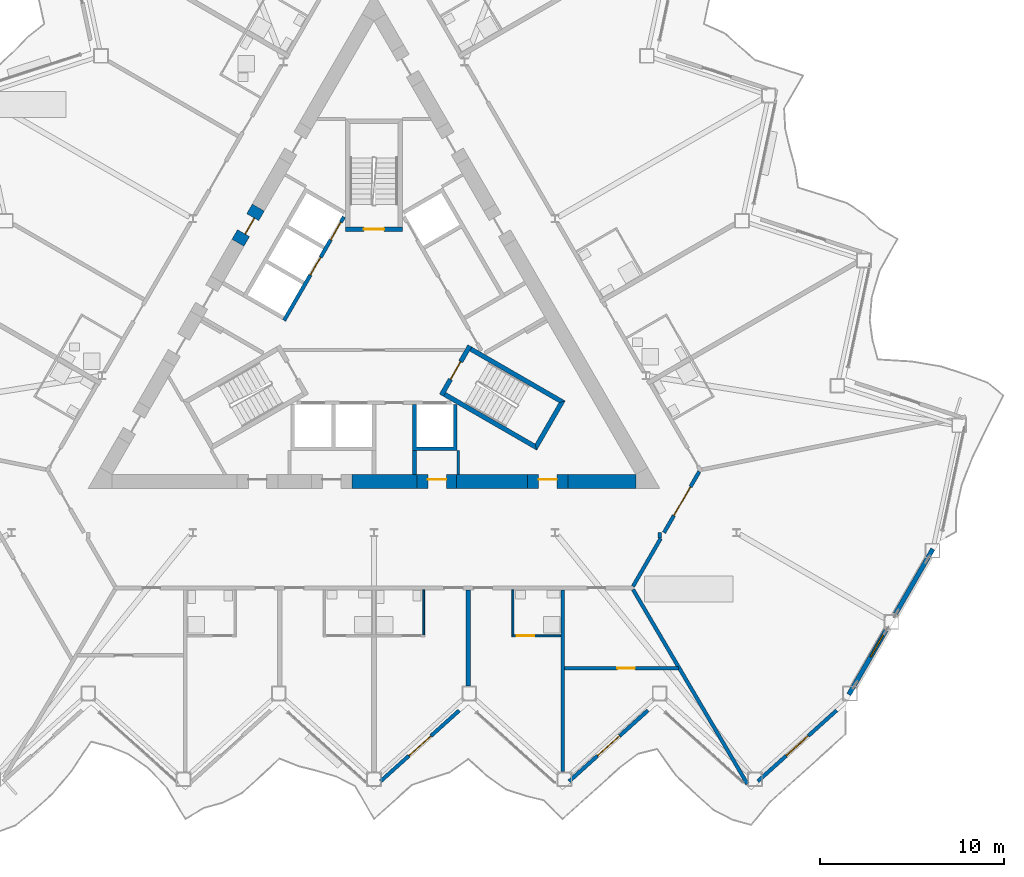
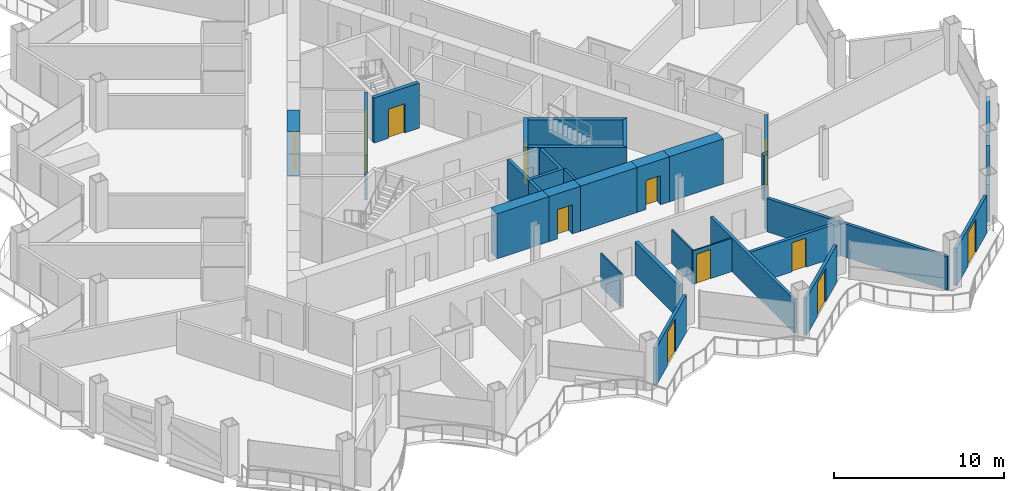
# One storey, part 12 of 23: 30 walls, 13 doors, 1 window, 14 openings.
"""IFC4 building model written with IfcOpenShell, lengths in metres."""

from ifc_helpers import new_model, si_unit, direction, frame, frame_2d, origin, place, context, subcontext, project, spatial, polyline, rectangle, outline, extrude, material, layer, layer_set, type_object, element, fill, save


model = new_model("IFC4")

# Units and contexts
model_context = context("Model", 3, precision=1e-05, world=origin(), true_north=direction((0.0, 1.0)))
body_context = subcontext(model_context, "Body", "Model", "MODEL_VIEW")
ifc_project = project(units=[si_unit("LENGTHUNIT", "METRE"), si_unit("AREAUNIT", "SQUARE_METRE"), si_unit("VOLUMEUNIT", "CUBIC_METRE"), si_unit("PLANEANGLEUNIT", "RADIAN"), si_unit("MASSUNIT", "GRAM", prefix="KILO")], contexts=[model_context])

# Site, building, storey
site_placement = place(None, origin())
site = spatial("IfcSite", under=ifc_project, at=site_placement, CompositionType="ELEMENT")
building_placement = place(site_placement, origin())
building = spatial("IfcBuilding", under=site, at=building_placement, Name="Cormorant Prow Tower", CompositionType="ELEMENT")
storey_placement = place(building_placement, frame((0.0, 0.0, 172.800048828125)))
storey = spatial("IfcBuildingStorey", under=building, at=storey_placement, Name="L36", CompositionType="ELEMENT", Elevation=172.800048828125)

# Walls
ifc_material_1 = material(Name="Gypsum board partition")
ifc_layer_1 = layer(ifc_material_1, 0.14990234375)
ifc_layer_set_1 = layer_set([ifc_layer_1], Name="Gypsum board partition")
wall_type_1 = type_object("IfcWallType", Name="Core partition 150", PredefinedType="PARTITIONING", material=ifc_layer_set_1)
wall_1_placement = place(storey_placement, frame((4.574951171875, -6.906005859375, 0.0), z_axis=(0.0, 0.0, 1.0), x_axis=(0.0, -1.0, 0.0)))
element("IfcWall", 1, at=wall_1_placement, inside=storey, type_object=wall_type_1, Name="Service room partition", PredefinedType="PARTITIONING", context=body_context, shape_type="SweptSolid", body=[
    extrude(rectangle(XDim=1.29296875, YDim=0.14990234375, at=frame_2d((0.646484375, 0.0))), origin(), (0.0, 0.0, 1.0), 3.25),
])
ifc_material_2 = material(Name="Concrete 8000 psi", Category="concrete")
ifc_layer_2 = layer(ifc_material_2, 0.75)
ifc_layer_set_2 = layer_set([ifc_layer_2], Name="Concrete 8000 psi")
wall_type_2 = type_object("IfcWallType", Name="Core shear wall 750", PredefinedType="SHEAR", material=ifc_layer_set_2)
wall_2_placement = place(storey_placement, frame((4.47998046875, -8.573974609375, 0.0), z_axis=(0.0, 0.0, 1.0), x_axis=(1.0, 0.0, 0.0)))
element("IfcWall", 2, at=wall_2_placement, inside=storey, type_object=wall_type_2, Name="Core wall", PredefinedType="SHEAR", context=body_context, shape_type="SweptSolid", body=[
    extrude(rectangle(XDim=3.845458984375, YDim=0.75, at=frame_2d((1.9228515625, 0.0))), origin(), (0.0, 0.0, 1.0), 3.25),
])
wall_3_placement = place(storey_placement, frame((10.525390625, -8.573974609375, 0.0), z_axis=(0.0, 0.0, 1.0), x_axis=(1.0, 0.0, 0.0)))
element("IfcWall", 3, at=wall_3_placement, inside=storey, type_object=wall_type_2, Name="Core wall", PredefinedType="SHEAR", context=body_context, shape_type="SweptSolid", body=[
    extrude(rectangle(XDim=3.675537109375, YDim=0.75, at=frame_2d((1.837890625, 0.0))), origin(), (0.0, 0.0, 1.0), 3.25),
])
wall_4_placement = place(storey_placement, frame((-1.199951171875, -8.573974609375, 0.0), z_axis=(0.0, 0.0, 1.0), x_axis=(1.0, 0.0, 0.0)))
element("IfcWall", 4, at=wall_4_placement, inside=storey, type_object=wall_type_2, Name="Core wall", PredefinedType="SHEAR", context=body_context, shape_type="SweptSolid", body=[
    extrude(rectangle(XDim=3.52001953125, YDim=0.75, at=frame_2d((1.760009765625, 0.0))), origin(), (0.0, 0.0, 1.0), 3.25),
])

# Wall, opening, door
wall_5_placement = place(storey_placement, frame((2.320068359375, -8.573974609375, 0.0), z_axis=(0.0, 0.0, 1.0), x_axis=(1.0, 0.0, 0.0)))
wall_5 = element("IfcWall", 5, at=wall_5_placement, inside=storey, type_object=wall_type_2, Name="Core wall door panel", PredefinedType="SHEAR", context=body_context, shape_type="SweptSolid", body=[
    extrude(rectangle(XDim=2.159912109375, YDim=0.75, at=frame_2d((1.080078125, 0.0))), origin(), (0.0, 0.0, 1.0), 3.25),
])
opening_1_placement = place(wall_5_placement, frame((0.60009765625, 0.0, 0.0)))
opening_1 = element("IfcOpeningElement", 6, at=opening_1_placement, cuts=wall_5, Name="Opening L36-C15", PredefinedType="OPENING", context=body_context, shape_type="SweptSolid", body=[
    extrude(rectangle(XDim=1.0, YDim=2.10009765625, at=frame_2d((0.5, 1.050048828125))), frame((0.0, 0.385009765625, 0.0), z_axis=(0.0, -1.0, 0.0), x_axis=(1.0, 0.0, 0.0)), (0.0, 0.0, 1.0), 0.77001953125),
])
ifc_material_3 = material(Name="Painted steel", Category="steel")
door_type_1 = type_object("IfcDoorType", Name="Service door 1000x2100", OperationType="NOTDEFINED", PredefinedType="DOOR", material=ifc_material_3)
door_1_placement = place(opening_1_placement, origin())
door_1 = element("IfcDoor", 7, at=door_1_placement, inside=storey, type_object=door_type_1, Name="Core door, Telecom room", OperationType="SINGLE_SWING_RIGHT", OverallHeight=2.10009765625, OverallWidth=1.0, PredefinedType="DOOR", context=body_context, shape_type="SweptSolid", body=[
    extrude(rectangle(XDim=1.0, YDim=2.10009765625, at=frame_2d((0.5, 1.050048828125))), frame((0.0, 0.1298828125, 0.0), z_axis=(0.0, -1.0, 0.0), x_axis=(1.0, 0.0, 0.0)), (0.0, 0.0, 1.0), 0.050048828125),
])
fill(opening_1, door_1)

wall_6_placement = place(storey_placement, frame((8.325439453125, -8.573974609375, 0.0), z_axis=(0.0, 0.0, 1.0), x_axis=(1.0, 0.0, 0.0)))
wall_6 = element("IfcWall", 8, at=wall_6_placement, inside=storey, type_object=wall_type_2, Name="Core wall door panel", PredefinedType="SHEAR", context=body_context, shape_type="SweptSolid", body=[
    extrude(rectangle(XDim=2.199951171875, YDim=0.75, at=frame_2d((1.10009765625, 0.0))), origin(), (0.0, 0.0, 1.0), 3.25),
])
opening_2_placement = place(wall_6_placement, frame((0.60009765625, 0.0, 0.0)))
opening_2 = element("IfcOpeningElement", 9, at=opening_2_placement, cuts=wall_6, Name="Opening L36-C17", PredefinedType="OPENING", context=body_context, shape_type="SweptSolid", body=[
    extrude(rectangle(XDim=1.0, YDim=2.10009765625, at=frame_2d((0.5, 1.050048828125))), frame((0.0, 0.385009765625, 0.0), z_axis=(0.0, -1.0, 0.0), x_axis=(1.0, 0.0, 0.0)), (0.0, 0.0, 1.0), 0.77001953125),
])
door_2_placement = place(opening_2_placement, origin())
door_2 = element("IfcDoor", 10, at=door_2_placement, inside=storey, type_object=door_type_1, Name="Core door, Cleaners store", OperationType="SINGLE_SWING_RIGHT", OverallHeight=2.10009765625, OverallWidth=1.0, PredefinedType="DOOR", context=body_context, shape_type="SweptSolid", body=[
    extrude(rectangle(XDim=1.0, YDim=2.10009765625, at=frame_2d((0.5, 1.050048828125))), frame((0.0, 0.1298828125, 0.0), z_axis=(0.0, -1.0, 0.0), x_axis=(1.0, 0.0, 0.0)), (0.0, 0.0, 1.0), 0.050048828125),
])
fill(opening_2, door_2)

wall_7_placement = place(storey_placement, frame((-6.275390625, 6.27880859375, 0.0), z_axis=(0.0, 0.0, 1.0), x_axis=(-0.499946605688, -0.86605622881, 0.0)))
wall_7 = element("IfcWall", 11, at=wall_7_placement, inside=storey, type_object=wall_type_2, Name="Core wall door panel", PredefinedType="SHEAR", context=body_context, shape_type="SweptSolid", body=[
    extrude(rectangle(XDim=2.199951171875, YDim=0.75, at=frame_2d((1.10009765625, 0.0))), origin(), (0.0, 0.0, 1.0), 3.25),
])
opening_3_placement = place(wall_7_placement, frame((0.60009765625, 0.0, 0.0)))
opening_3 = element("IfcOpeningElement", 12, at=opening_3_placement, cuts=wall_7, Name="Opening L36-C18", PredefinedType="OPENING", context=body_context, shape_type="SweptSolid", body=[
    extrude(rectangle(XDim=1.0, YDim=2.10009765625, at=frame_2d((0.5, 1.050048828125))), frame((0.0, 0.385009765625, 0.0), z_axis=(0.0, -1.0, 0.0), x_axis=(1.0, 0.0, 0.0)), (0.0, 0.0, 1.0), 0.77001953125),
])
door_3_placement = place(opening_3_placement, origin())
door_3 = element("IfcDoor", 13, at=door_3_placement, inside=storey, type_object=door_type_1, Name="Core door, Electrical room", OperationType="SINGLE_SWING_LEFT", OverallHeight=2.10009765625, OverallWidth=1.0, PredefinedType="DOOR", context=body_context, shape_type="SweptSolid", body=[
    extrude(rectangle(XDim=1.0, YDim=2.10009765625, at=frame_2d((0.5, 1.050048828125))), frame((0.0, 0.1298828125, 0.0), z_axis=(0.0, -1.0, 0.0), x_axis=(1.0, 0.0, 0.0)), (0.0, 0.0, 1.0), 0.050048828125),
])
fill(opening_3, door_3)

ifc_material_4 = material(Name="Gypsum board corridor wall")
ifc_layer_3 = layer(ifc_material_4, 0.199951171875)
ifc_layer_set_3 = layer_set([ifc_layer_3], Name="Gypsum board corridor wall")
wall_type_3 = type_object("IfcWallType", Name="Corridor wall 200", PredefinedType="PARTITIONING", material=ifc_layer_set_3)
wall_8_placement = place(storey_placement, frame((15.73095703125, -11.348876953125, 0.0), z_axis=(0.0, 0.0, 1.0), x_axis=(0.499961815444, 0.866047448526, 0.0)))
wall_8 = element("IfcWall", 14, at=wall_8_placement, inside=storey, type_object=wall_type_3, Name="Corridor wall", PredefinedType="PARTITIONING", context=body_context, shape_type="SweptSolid", body=[
    extrude(rectangle(XDim=3.825927734375, YDim=0.199951171875, at=frame_2d((1.9130859375, 0.0))), origin(), (0.0, 0.0, 1.0), 3.25),
])
opening_4_placement = place(wall_8_placement, frame((1.06396484375, 0.0, 0.0)))
opening_4 = element("IfcOpeningElement", 15, at=opening_4_placement, cuts=wall_8, Name="Opening L36-F13", PredefinedType="OPENING", context=body_context, shape_type="SweptSolid", body=[
    extrude(rectangle(XDim=1.800048828125, YDim=2.10009765625, at=frame_2d((0.89990234375, 1.050048828125))), frame((0.0, 0.10986328125, 0.0), z_axis=(0.0, -1.0, 0.0), x_axis=(1.0, 0.0, 0.0)), (0.0, 0.0, 1.0), 0.219970703125),
])
ifc_material_5 = material(Name="Timber door leaf", Category="wood")
door_type_2 = type_object("IfcDoorType", Name="Double door 1800x2100", OperationType="DOUBLE_DOOR_SINGLE_SWING", PredefinedType="DOOR", material=ifc_material_5)
door_4_placement = place(opening_4_placement, origin())
door_4 = element("IfcDoor", 16, at=door_4_placement, inside=storey, type_object=door_type_2, Name="Co-working space door", OperationType="DOUBLE_DOOR_SINGLE_SWING", OverallHeight=2.10009765625, OverallWidth=1.800048828125, PredefinedType="DOOR", context=body_context, shape_type="SweptSolid", body=[
    extrude(rectangle(XDim=1.800048828125, YDim=2.10009765625, at=frame_2d((0.89990234375, 1.050048828125))), frame((0.0, 0.02490234375, 0.0), z_axis=(0.0, -1.0, 0.0), x_axis=(1.0, 0.0, 0.0)), (0.0, 0.0, 1.0), 0.050048828125),
])
fill(opening_4, door_4)

# Walls
wall_9_placement = place(storey_placement, frame((14.048828125, -14.26220703125, 0.0), z_axis=(0.0, 0.0, 1.0), x_axis=(0.500048608389, 0.865997337899, 0.0)))
element("IfcWall", 17, at=wall_9_placement, inside=storey, type_object=wall_type_3, Name="Corridor wall", PredefinedType="PARTITIONING", context=body_context, shape_type="SweptSolid", body=[
    extrude(rectangle(XDim=3.002197265625, YDim=0.199951171875, at=frame_2d((1.5009765625, 0.0))), origin(), (0.0, 0.0, 1.0), 3.25),
])
wall_10_placement = place(storey_placement, frame((15.5, -11.64892578125, 0.0), z_axis=(0.0, 0.0, 1.0), x_axis=(0.0, 1.0, 0.0)))
element("IfcWall", 18, at=wall_10_placement, inside=storey, type_object=wall_type_3, Name="Corridor wall", PredefinedType="PARTITIONING", context=body_context, shape_type="SweptSolid", body=[
    extrude(rectangle(XDim=0.31005859375, YDim=0.199951171875, at=frame_2d((0.155029296875, 0.0))), origin(), (0.0, 0.0, 1.0), 3.25),
])
ifc_material_6 = material(Name="Gypsum board demising wall")
ifc_layer_4 = layer(ifc_material_6, 0.199951171875)
ifc_layer_set_4 = layer_set([ifc_layer_4], Name="Gypsum board demising wall")
wall_type_4 = type_object("IfcWallType", Name="Demising wall 200", PredefinedType="PARTITIONING", material=ifc_layer_set_4)
wall_11_placement = place(storey_placement, frame((14.049560546875, -14.43505859375, 0.0), z_axis=(0.0, 0.0, 1.0), x_axis=(0.50691019554, -0.861998871031, 0.0)))
element("IfcWall", 19, at=wall_11_placement, inside=storey, type_object=wall_type_4, Name="Demising wall", PredefinedType="PARTITIONING", context=body_context, shape_type="SweptSolid", body=[
    extrude(rectangle(XDim=12.2294921875, YDim=0.199951171875, at=frame_2d((6.11474609375, 0.0))), origin(), (0.0, 0.0, 1.0), 2.404052734375),
])
wall_12_placement = place(storey_placement, frame((10.2314453125, -24.3115234375, 0.0), z_axis=(0.0, 0.0, 1.0), x_axis=(0.0, 1.0, 0.0)))
element("IfcWall", 20, at=wall_12_placement, inside=storey, type_object=wall_type_4, Name="Demising wall", PredefinedType="PARTITIONING", context=body_context, shape_type="SweptSolid", body=[
    extrude(rectangle(XDim=9.862548828125, YDim=0.199951171875, at=frame_2d((4.93115234375, 0.0))), origin(), (0.0, 0.0, 1.0), 2.404052734375),
])

# Wall, opening, door
wall_13_placement = place(storey_placement, frame((10.331298828125, -18.698974609375, 0.0), z_axis=(0.0, 0.0, 1.0), x_axis=(1.0, 0.0, 0.0)))
wall_13 = element("IfcWall", 21, at=wall_13_placement, inside=storey, type_object=wall_type_4, Name="Demising wall", PredefinedType="PARTITIONING", context=body_context, shape_type="SweptSolid", body=[
    extrude(rectangle(XDim=6.17919921875, YDim=0.199951171875, at=frame_2d((3.089599609375, 0.0))), origin(), (0.0, 0.0, 1.0), 2.404052734375),
])
opening_5_placement = place(wall_13_placement, frame((2.865966796875, 0.0, 0.0)))
opening_5 = element("IfcOpeningElement", 22, at=opening_5_placement, cuts=wall_13, Name="Opening L36-F12", PredefinedType="OPENING", context=body_context, shape_type="SweptSolid", body=[
    extrude(rectangle(XDim=0.949951171875, YDim=2.10009765625, at=frame_2d((0.47509765625, 1.050048828125))), frame((0.0, 0.10986328125, 0.0), z_axis=(0.0, -1.0, 0.0), x_axis=(1.0, 0.0, 0.0)), (0.0, 0.0, 1.0), 0.219970703125),
])
ifc_material_7 = material(Name="Timber door leaf", Category="wood")
door_type_3 = type_object("IfcDoorType", Name="Store door 950x2100", OperationType="NOTDEFINED", PredefinedType="DOOR", material=ifc_material_7)
door_5_placement = place(opening_5_placement, origin())
door_5 = element("IfcDoor", 23, at=door_5_placement, inside=storey, type_object=door_type_3, Name="Linen store door", OperationType="SINGLE_SWING_RIGHT", OverallHeight=2.10009765625, OverallWidth=0.949951171875, PredefinedType="DOOR", context=body_context, shape_type="SweptSolid", body=[
    extrude(rectangle(XDim=0.949951171875, YDim=2.10009765625, at=frame_2d((0.47509765625, 1.050048828125))), frame((0.0, 0.02490234375, 0.0), z_axis=(0.0, -1.0, 0.0), x_axis=(1.0, 0.0, 0.0)), (0.0, 0.0, 1.0), 0.050048828125),
])
fill(opening_5, door_5)

ifc_material_8 = material(Name="Gypsum board partition")
ifc_layer_5 = layer(ifc_material_8, 0.10009765625)
ifc_layer_set_5 = layer_set([ifc_layer_5], Name="Gypsum board partition")
wall_type_5 = type_object("IfcWallType", Name="Internal partition 100", PredefinedType="PARTITIONING", material=ifc_layer_set_5)
wall_14_placement = place(storey_placement, frame((7.4814453125, -16.948974609375, 0.0), z_axis=(0.0, 0.0, 1.0), x_axis=(1.0, 0.0, 0.0)))
wall_14 = element("IfcWall", 24, at=wall_14_placement, inside=storey, type_object=wall_type_5, Name="Internal partition", PredefinedType="PARTITIONING", context=body_context, shape_type="SweptSolid", body=[
    extrude(rectangle(XDim=2.64990234375, YDim=0.10009765625, at=frame_2d((1.324951171875, 0.0))), origin(), (0.0, 0.0, 1.0), 2.404052734375),
])
opening_6_placement = place(wall_14_placement, frame((0.25, 0.0, 0.0)))
opening_6 = element("IfcOpeningElement", 25, at=opening_6_placement, cuts=wall_14, Name="Opening L36-F10", PredefinedType="OPENING", context=body_context, shape_type="SweptSolid", body=[
    extrude(rectangle(XDim=0.949951171875, YDim=2.10009765625, at=frame_2d((0.47509765625, 1.050048828125))), frame((0.0, 0.06005859375, 0.0), z_axis=(0.0, -1.0, 0.0), x_axis=(1.0, 0.0, 0.0)), (0.0, 0.0, 1.0), 0.1201171875),
])
ifc_material_9 = material(Name="Timber door leaf", Category="wood")
door_type_4 = type_object("IfcDoorType", Name="Bathroom door 950x2100", OperationType="NOTDEFINED", PredefinedType="DOOR", material=ifc_material_9)
door_6_placement = place(opening_6_placement, origin())
door_6 = element("IfcDoor", 26, at=door_6_placement, inside=storey, type_object=door_type_4, Name="Guest room door", OperationType="SINGLE_SWING_LEFT", OverallHeight=2.10009765625, OverallWidth=0.949951171875, PredefinedType="DOOR", context=body_context, shape_type="SweptSolid", body=[
    extrude(rectangle(XDim=0.949951171875, YDim=2.10009765625, at=frame_2d((0.47509765625, 1.050048828125))), frame((0.0, 0.02490234375, 0.0), z_axis=(0.0, -1.0, 0.0), x_axis=(1.0, 0.0, 0.0)), (0.0, 0.0, 1.0), 0.050048828125),
])
fill(opening_6, door_6)

# Walls
for number, where, z_axis, x_axis, name in (
    (27, (2.699951171875, -16.89892578125, 0.0), (0.0, 0.0, 1.0), (0.0, 1.0, 0.0), "Internal partition"),
    (28, (7.531494140625, -16.89892578125, 0.0), (0.0, 0.0, 1.0), (0.0, 1.0, 0.0), "Internal partition"),
):
    element("IfcWall", number, at=place(storey_placement, frame(where, z_axis=z_axis, x_axis=x_axis)), inside=storey, type_object=wall_type_5, Name=name, PredefinedType="PARTITIONING", context=body_context, shape_type="SweptSolid", body=[
        extrude(rectangle(XDim=2.449951171875, YDim=0.10009765625, at=frame_2d((1.22509765625, 0.0))), origin(), (0.0, 0.0, 1.0), 2.404052734375),
    ])

# Wall, openings, doors
ifc_material_10 = material(Name="Concrete 5000 psi", Category="concrete")
ifc_layer_6 = layer(ifc_material_10, 0.199951171875)
ifc_layer_set_6 = layer_set([ifc_layer_6], Name="Concrete 5000 psi")
wall_type_6 = type_object("IfcWallType", Name="Lift lobby wall 200", PredefinedType="SOLIDWALL", material=ifc_layer_set_6)
wall_15_placement = place(storey_placement, frame((-1.630615234375, 5.775634765625, 0.0), z_axis=(0.0, 0.0, 1.0), x_axis=(-0.499992876559, -0.866029516466, 0.0)))
wall_15 = element("IfcWall", 29, at=wall_15_placement, inside=storey, type_object=wall_type_6, Name="Lift lobby wall, WNW block", PredefinedType="SOLIDWALL", context=body_context, shape_type="SweptSolid", body=[
    extrude(rectangle(XDim=6.486328125, YDim=0.199951171875, at=frame_2d((3.2431640625, 0.0))), origin(), (0.0, 0.0, 1.0), 3.25),
])
opening_7_placement = place(wall_15_placement, frame((0.336669921875, 0.0, 0.0)))
opening_7 = element("IfcOpeningElement", 30, at=opening_7_placement, cuts=wall_15, Name="Opening L36-C08", PredefinedType="OPENING", context=body_context, shape_type="SweptSolid", body=[
    extrude(rectangle(XDim=1.10009765625, YDim=2.10009765625, at=frame_2d((0.550048828125, 1.050048828125))), frame((0.0, 0.10986328125, 0.0), z_axis=(0.0, -1.0, 0.0), x_axis=(1.0, 0.0, 0.0)), (0.0, 0.0, 1.0), 0.219970703125),
])
opening_8_placement = place(wall_15_placement, frame((2.53662109375, 0.0, 0.0)))
opening_8 = element("IfcOpeningElement", 31, at=opening_8_placement, cuts=wall_15, Name="Opening L36-C09", PredefinedType="OPENING", context=body_context, shape_type="SweptSolid", body=[
    extrude(rectangle(XDim=1.10009765625, YDim=2.10009765625, at=frame_2d((0.550048828125, 1.050048828125))), frame((0.0, 0.10986328125, 0.0), z_axis=(0.0, -1.0, 0.0), x_axis=(1.0, 0.0, 0.0)), (0.0, 0.0, 1.0), 0.219970703125),
])
ifc_material_11 = material(Name="Painted steel", Category="steel")
door_type_5 = type_object("IfcDoorType", Name="Lift landing door 1100x2100", OperationType="SLIDING_TO_LEFT", PredefinedType="DOOR", material=ifc_material_11)
door_7_placement = place(opening_7_placement, origin())
door_7 = element("IfcDoor", 32, at=door_7_placement, inside=storey, type_object=door_type_5, Name="Landing door MR2", OperationType="SLIDING_TO_LEFT", OverallHeight=2.10009765625, OverallWidth=1.10009765625, PredefinedType="DOOR", context=body_context, shape_type="SweptSolid", body=[
    extrude(rectangle(XDim=1.10009765625, YDim=2.10009765625, at=frame_2d((0.550048828125, 1.050048828125))), frame((0.0, 0.02490234375, 0.0), z_axis=(0.0, -1.0, 0.0), x_axis=(1.0, 0.0, 0.0)), (0.0, 0.0, 1.0), 0.050048828125),
])
fill(opening_7, door_7)
door_8_placement = place(opening_8_placement, origin())
door_8 = element("IfcDoor", 33, at=door_8_placement, inside=storey, type_object=door_type_5, Name="Landing door MR3", OperationType="SLIDING_TO_LEFT", OverallHeight=2.10009765625, OverallWidth=1.10009765625, PredefinedType="DOOR", context=body_context, shape_type="SweptSolid", body=[
    extrude(rectangle(XDim=1.10009765625, YDim=2.10009765625, at=frame_2d((0.550048828125, 1.050048828125))), frame((0.0, 0.02490234375, 0.0), z_axis=(0.0, -1.0, 0.0), x_axis=(1.0, 0.0, 0.0)), (0.0, 0.0, 1.0), 0.050048828125),
])
fill(opening_8, door_8)

# Walls
ifc_material_12 = material(Name="Concrete 8000 psi", Category="concrete")
ifc_layer_7 = layer(ifc_material_12, 0.199951171875)
ifc_layer_set_7 = layer_set([ifc_layer_7], Name="Concrete 8000 psi")
wall_type_7 = type_object("IfcWallType", Name="Lift shaft wall 200", PredefinedType="SHEAR", material=ifc_layer_set_7)
wall_16_placement = place(storey_placement, origin())
element("IfcWall", 34, at=wall_16_placement, inside=storey, type_object=wall_type_7, Name="Lift shaft walls, S block", PredefinedType="SHEAR", context=body_context, shape_type="SweptSolid", body=[
    extrude(outline(polyline([(4.5, -4.39990234375), (4.5, -6.906005859375), (2.10009765625, -6.906005859375), (2.10009765625, -4.39990234375), (2.300048828125, -4.39990234375), (2.300048828125, -6.699951171875), (4.300048828125, -6.699951171875), (4.300048828125, -4.39990234375), (4.5, -4.39990234375)])), origin(), (0.0, 0.0, 1.0), 3.25),
])
wall_17_placement = place(storey_placement, frame((2.199951171875, -6.906005859375, 0.0), z_axis=(0.0, 0.0, 1.0), x_axis=(0.0, -1.0, 0.0)))
element("IfcWall", 35, at=wall_17_placement, inside=storey, type_object=wall_type_7, Name="Store side wall", PredefinedType="SHEAR", context=body_context, shape_type="SweptSolid", body=[
    extrude(rectangle(XDim=1.29296875, YDim=0.199951171875, at=frame_2d((0.646484375, 0.0))), origin(), (0.0, 0.0, 1.0), 3.25),
])
ifc_material_13 = material(Name="Concrete 8000 psi", Category="concrete")
ifc_layer_8 = layer(ifc_material_13, 0.25)
ifc_layer_set_8 = layer_set([ifc_layer_8], Name="Concrete 8000 psi")
wall_type_8 = type_object("IfcWallType", Name="Stair wall 250", PredefinedType="SHEAR", material=ifc_layer_set_8)
wall_18_placement = place(storey_placement, origin())
element("IfcWall", 36, at=wall_18_placement, inside=storey, type_object=wall_type_8, Name="Stair ST2 enclosure wall (flank)", PredefinedType="SHEAR", context=body_context, shape_type="SweptSolid", body=[
    extrude(outline(polyline([(3.76318359375, -3.95556640625), (8.82958984375, -6.880615234375), (8.738037109375, -6.5390625), (3.88818359375, -3.739013671875), (3.76318359375, -3.95556640625)])), origin(), (0.0, 0.0, 1.0), 3.25),
])
wall_19_placement = place(storey_placement, origin())
element("IfcWall", 37, at=wall_19_placement, inside=storey, type_object=wall_type_8, Name="Stair ST2 enclosure wall (end)", PredefinedType="SHEAR", context=body_context, shape_type="SweptSolid", body=[
    extrude(outline(polyline([(8.82958984375, -6.880615234375), (10.37353515625, -4.206298828125), (10.031982421875, -4.2978515625), (8.738037109375, -6.5390625), (8.82958984375, -6.880615234375)])), origin(), (0.0, 0.0, 1.0), 3.25),
])
wall_20_placement = place(storey_placement, origin())
element("IfcWall", 38, at=wall_20_placement, inside=storey, type_object=wall_type_8, Name="Stair ST2 enclosure wall (flank)", PredefinedType="SHEAR", context=body_context, shape_type="SweptSolid", body=[
    extrude(outline(polyline([(10.031982421875, -4.2978515625), (10.37353515625, -4.206298828125), (5.30712890625, -1.28125), (5.18212890625, -1.497802734375), (10.031982421875, -4.2978515625)])), origin(), (0.0, 0.0, 1.0), 3.25),
])

# Wall, opening, door
wall_21_placement = place(storey_placement, frame((3.655029296875, -3.89306640625, 0.0), z_axis=(0.0, 0.0, 1.0), x_axis=(0.499982516597, 0.866035497597, 0.0)))
wall_21 = element("IfcWall", 39, at=wall_21_placement, inside=storey, type_object=wall_type_8, Name="Stair ST2 door wall", PredefinedType="SHEAR", context=body_context, shape_type="SweptSolid", body=[
    extrude(rectangle(XDim=3.087890625, YDim=0.25, at=frame_2d((1.5439453125, 0.0))), origin(), (0.0, 0.0, 1.0), 3.25),
])
opening_9_placement = place(wall_21_placement, frame((0.993896484375, 0.0, 0.0)))
opening_9 = element("IfcOpeningElement", 40, at=opening_9_placement, cuts=wall_21, Name="Opening L36-C12", PredefinedType="OPENING", context=body_context, shape_type="SweptSolid", body=[
    extrude(rectangle(XDim=1.10009765625, YDim=2.10009765625, at=frame_2d((0.550048828125, 1.050048828125))), frame((0.0, 0.135009765625, 0.0), z_axis=(0.0, -1.0, 0.0), x_axis=(1.0, 0.0, 0.0)), (0.0, 0.0, 1.0), 0.27001953125),
])
ifc_material_14 = material(Name="Painted steel", Category="steel")
door_type_6 = type_object("IfcDoorType", Name="Stair door 1100x2100", OperationType="NOTDEFINED", PredefinedType="DOOR", material=ifc_material_14)
door_9_placement = place(opening_9_placement, origin())
door_9 = element("IfcDoor", 41, at=door_9_placement, inside=storey, type_object=door_type_6, Name="Stair ST2 door", OperationType="SINGLE_SWING_RIGHT", OverallHeight=2.10009765625, OverallWidth=1.10009765625, PredefinedType="DOOR", context=body_context, shape_type="SweptSolid", body=[
    extrude(rectangle(XDim=1.10009765625, YDim=2.10009765625, at=frame_2d((0.550048828125, 1.050048828125))), frame((0.0, 0.02490234375, 0.0), z_axis=(0.0, -1.0, 0.0), x_axis=(1.0, 0.0, 0.0)), (0.0, 0.0, 1.0), 0.050048828125),
])
fill(opening_9, door_9)

wall_22_placement = place(storey_placement, frame((1.5439453125, 5.11181640625, 0.0), z_axis=(0.0, 0.0, 1.0), x_axis=(-1.0, 0.0, 0.0)))
wall_22 = element("IfcWall", 42, at=wall_22_placement, inside=storey, type_object=wall_type_8, Name="Stair ST3 door wall", PredefinedType="SHEAR", context=body_context, shape_type="SweptSolid", body=[
    extrude(rectangle(XDim=3.087890625, YDim=0.25, at=frame_2d((1.5439453125, 0.0))), origin(), (0.0, 0.0, 1.0), 3.25),
])
opening_10_placement = place(wall_22_placement, frame((0.993896484375, 0.0, 0.0)))
opening_10 = element("IfcOpeningElement", 43, at=opening_10_placement, cuts=wall_22, Name="Opening L36-C13", PredefinedType="OPENING", context=body_context, shape_type="SweptSolid", body=[
    extrude(rectangle(XDim=1.10009765625, YDim=2.10009765625, at=frame_2d((0.550048828125, 1.050048828125))), frame((0.0, 0.135009765625, 0.0), z_axis=(0.0, -1.0, 0.0), x_axis=(1.0, 0.0, 0.0)), (0.0, 0.0, 1.0), 0.27001953125),
])
door_10_placement = place(opening_10_placement, origin())
door_10 = element("IfcDoor", 44, at=door_10_placement, inside=storey, type_object=door_type_6, Name="Stair ST3 door", OperationType="SINGLE_SWING_LEFT", OverallHeight=2.10009765625, OverallWidth=1.10009765625, PredefinedType="DOOR", context=body_context, shape_type="SweptSolid", body=[
    extrude(rectangle(XDim=1.10009765625, YDim=2.10009765625, at=frame_2d((0.550048828125, 1.050048828125))), frame((0.0, 0.02490234375, 0.0), z_axis=(0.0, -1.0, 0.0), x_axis=(1.0, 0.0, 0.0)), (0.0, 0.0, 1.0), 0.050048828125),
])
fill(opening_10, door_10)

# Wall
ifc_material_15 = material(Name="Acoustic gypsum party wall")
ifc_layer_9 = layer(ifc_material_15, 0.25)
ifc_layer_set_9 = layer_set([ifc_layer_9], Name="Acoustic gypsum party wall")
wall_type_9 = type_object("IfcWallType", Name="Suite party wall 250", PredefinedType="PARTITIONING", material=ifc_layer_set_9)
wall_23_placement = place(storey_placement, frame((5.11572265625, -19.661376953125, 0.0), z_axis=(0.0, 0.0, 1.0), x_axis=(0.0, 1.0, 0.0)))
element("IfcWall", 45, at=wall_23_placement, inside=storey, type_object=wall_type_9, Name="Suite party wall", PredefinedType="PARTITIONING", context=body_context, shape_type="SweptSolid", body=[
    extrude(rectangle(XDim=5.21240234375, YDim=0.25, at=frame_2d((2.606201171875, 0.0))), origin(), (0.0, 0.0, 1.0), 2.404052734375),
])

# Wall, opening, window
ifc_material_16 = material(Name="Terracotta", Category="masonry")
ifc_layer_10 = layer(ifc_material_16, 0.25)
ifc_layer_set_10 = layer_set([ifc_layer_10], Name="Terracotta")
wall_type_10 = type_object("IfcWallType", Name="Terracotta bay wall 250", PredefinedType="SOLIDWALL", material=ifc_layer_set_10)
wall_24_placement = place(storey_placement, frame((25.754150390625, -20.1298828125, 0.0), z_axis=(0.0, 0.0, 1.0), x_axis=(0.500039726511, 0.866002466458, 0.0)))
wall_24 = element("IfcWall", 46, at=wall_24_placement, inside=storey, type_object=wall_type_10, Name="Terracotta bay wall ESE00", PredefinedType="SOLIDWALL", context=body_context, shape_type="SweptSolid", body=[
    extrude(rectangle(XDim=4.018798828125, YDim=0.25, at=frame_2d((2.00927734375, 0.0))), origin(), (0.0, 0.0, 1.0), 2.700927734375),
])
opening_11_placement = place(wall_24_placement, frame((2.35009765625, 0.0, 1.699951171875)))
opening_11 = element("IfcOpeningElement", 47, at=opening_11_placement, cuts=wall_24, Name="Opening WN3", PredefinedType="OPENING", context=body_context, shape_type="SweptSolid", body=[
    extrude(rectangle(XDim=1.39990234375, YDim=0.800048828125, at=frame_2d((0.699951171875, 0.39990234375))), frame((0.0, 0.135009765625, 0.0), z_axis=(0.0, -1.0, 0.0), x_axis=(1.0, 0.0, 0.0)), (0.0, 0.0, 1.0), 0.27001953125),
])
ifc_material_17 = material(Name="Aluminium 6063-T6", Category="aluminium")
window_type = type_object("IfcWindowType", Name="Corner bay window 1400x800", PartitioningType="SINGLE_PANEL", PredefinedType="WINDOW", material=ifc_material_17)
window_placement = place(opening_11_placement, origin())
window = element("IfcWindow", 48, at=window_placement, inside=storey, type_object=window_type, Name="Corner bay window ESE00", OverallHeight=0.800048828125, OverallWidth=1.39990234375, PartitioningType="SINGLE_PANEL", PredefinedType="WINDOW", context=body_context, shape_type="SweptSolid", body=[
    extrude(rectangle(XDim=1.39990234375, YDim=0.800048828125, at=frame_2d((0.699951171875, 0.39990234375))), frame((0.0, 0.030029296875, 0.0), z_axis=(0.0, -1.0, 0.0), x_axis=(1.0, 0.0, 0.0)), (0.0, 0.0, 1.0), 0.06005859375),
])
fill(opening_11, window)

# Wall
wall_25_placement = place(storey_placement, frame((28.283203125, -15.749755859375, 0.0), z_axis=(0.0, 0.0, 1.0), x_axis=(0.500005680777, 0.866022123962, 0.0)))
element("IfcWall", 49, at=wall_25_placement, inside=storey, type_object=wall_type_10, Name="Terracotta bay wall ESE01", PredefinedType="SOLIDWALL", context=body_context, shape_type="SweptSolid", body=[
    extrude(rectangle(XDim=4.05419921875, YDim=0.25, at=frame_2d((2.027099609375, 0.0))), origin(), (0.0, 0.0, 1.0), 2.700927734375),
])

# Wall, opening, door
ifc_material_18 = material(Name="Terracotta", Category="masonry")
ifc_layer_11 = layer(ifc_material_18, 0.199951171875)
ifc_layer_set_11 = layer_set([ifc_layer_11], Name="Terracotta")
wall_type_11 = type_object("IfcWallType", Name="Terracotta jamb wall 200", PredefinedType="SOLIDWALL", material=ifc_layer_set_11)
wall_26_placement = place(storey_placement, frame((0.355224609375, -24.836181640625, 0.0), z_axis=(0.0, 0.0, 1.0), x_axis=(0.74315473474, 0.669119600844, 0.0)))
wall_26 = element("IfcWall", 50, at=wall_26_placement, inside=storey, type_object=wall_type_11, Name="Terracotta jamb wall S05", PredefinedType="SOLIDWALL", context=body_context, shape_type="SweptSolid", body=[
    extrude(rectangle(XDim=5.747802734375, YDim=0.199951171875, at=frame_2d((2.8740234375, 0.0))), origin(), (0.0, 0.0, 1.0), 2.700927734375),
])
opening_12_placement = place(wall_26_placement, frame((2.073974609375, 0.0, 0.0)))
opening_12 = element("IfcOpeningElement", 51, at=opening_12_placement, cuts=wall_26, Name="Opening ED36.03", PredefinedType="OPENING", context=body_context, shape_type="SweptSolid", body=[
    extrude(rectangle(XDim=1.60009765625, YDim=2.39990234375, at=frame_2d((0.800048828125, 1.199951171875))), frame((0.0, 0.10986328125, 0.0), z_axis=(0.0, -1.0, 0.0), x_axis=(1.0, 0.0, 0.0)), (0.0, 0.0, 1.0), 0.219970703125),
])
ifc_material_19 = material(Name="Aluminium 6063-T6", Category="aluminium")
door_type_7 = type_object("IfcDoorType", Name="Balcony door 1600x2400", OperationType="DOUBLE_DOOR_SINGLE_SWING", PredefinedType="DOOR", material=ifc_material_19)
door_11_placement = place(opening_12_placement, origin())
door_11 = element("IfcDoor", 52, at=door_11_placement, inside=storey, type_object=door_type_7, Name="Balcony door S05 ED36.03", OperationType="DOUBLE_DOOR_SINGLE_SWING", OverallHeight=2.39990234375, OverallWidth=1.60009765625, PredefinedType="DOOR", context=body_context, shape_type="SweptSolid", body=[
    extrude(rectangle(XDim=1.60009765625, YDim=2.39990234375, at=frame_2d((0.800048828125, 1.199951171875))), frame((0.0, 0.02490234375, 0.0), z_axis=(0.0, -1.0, 0.0), x_axis=(1.0, 0.0, 0.0)), (0.0, 0.0, 1.0), 0.050048828125),
])
fill(opening_12, door_11)

wall_27_placement = place(storey_placement, frame((10.586669921875, -24.836181640625, 0.0), z_axis=(0.0, 0.0, 1.0), x_axis=(0.74315473474, 0.669119600844, 0.0)))
wall_27 = element("IfcWall", 53, at=wall_27_placement, inside=storey, type_object=wall_type_11, Name="Terracotta jamb wall S07", PredefinedType="SOLIDWALL", context=body_context, shape_type="SweptSolid", body=[
    extrude(rectangle(XDim=5.747802734375, YDim=0.199951171875, at=frame_2d((2.8740234375, 0.0))), origin(), (0.0, 0.0, 1.0), 2.700927734375),
])
opening_13_placement = place(wall_27_placement, frame((2.073974609375, 0.0, 0.0)))
opening_13 = element("IfcOpeningElement", 54, at=opening_13_placement, cuts=wall_27, Name="Opening ED36.04", PredefinedType="OPENING", context=body_context, shape_type="SweptSolid", body=[
    extrude(rectangle(XDim=1.60009765625, YDim=2.39990234375, at=frame_2d((0.800048828125, 1.199951171875))), frame((0.0, 0.10986328125, 0.0), z_axis=(0.0, -1.0, 0.0), x_axis=(1.0, 0.0, 0.0)), (0.0, 0.0, 1.0), 0.219970703125),
])
door_12_placement = place(opening_13_placement, origin())
door_12 = element("IfcDoor", 55, at=door_12_placement, inside=storey, type_object=door_type_7, Name="Balcony door S07 ED36.04", OperationType="DOUBLE_DOOR_SINGLE_SWING", OverallHeight=2.39990234375, OverallWidth=1.60009765625, PredefinedType="DOOR", context=body_context, shape_type="SweptSolid", body=[
    extrude(rectangle(XDim=1.60009765625, YDim=2.39990234375, at=frame_2d((0.800048828125, 1.199951171875))), frame((0.0, 0.02490234375, 0.0), z_axis=(0.0, -1.0, 0.0), x_axis=(1.0, 0.0, 0.0)), (0.0, 0.0, 1.0), 0.050048828125),
])
fill(opening_13, door_12)

wall_28_placement = place(storey_placement, frame((20.818115234375, -24.836181640625, 0.0), z_axis=(0.0, 0.0, 1.0), x_axis=(0.74315473474, 0.669119600844, 0.0)))
wall_28 = element("IfcWall", 56, at=wall_28_placement, inside=storey, type_object=wall_type_11, Name="Terracotta jamb wall S09", PredefinedType="SOLIDWALL", context=body_context, shape_type="SweptSolid", body=[
    extrude(rectangle(XDim=5.747802734375, YDim=0.199951171875, at=frame_2d((2.8740234375, 0.0))), origin(), (0.0, 0.0, 1.0), 2.700927734375),
])
opening_14_placement = place(wall_28_placement, frame((2.073974609375, 0.0, 0.0)))
opening_14 = element("IfcOpeningElement", 57, at=opening_14_placement, cuts=wall_28, Name="Opening ED36.05", PredefinedType="OPENING", context=body_context, shape_type="SweptSolid", body=[
    extrude(rectangle(XDim=1.60009765625, YDim=2.39990234375, at=frame_2d((0.800048828125, 1.199951171875))), frame((0.0, 0.10986328125, 0.0), z_axis=(0.0, -1.0, 0.0), x_axis=(1.0, 0.0, 0.0)), (0.0, 0.0, 1.0), 0.219970703125),
])
door_13_placement = place(opening_14_placement, origin())
door_13 = element("IfcDoor", 58, at=door_13_placement, inside=storey, type_object=door_type_7, Name="Balcony door S09 ED36.05", OperationType="DOUBLE_DOOR_SINGLE_SWING", OverallHeight=2.39990234375, OverallWidth=1.60009765625, PredefinedType="DOOR", context=body_context, shape_type="SweptSolid", body=[
    extrude(rectangle(XDim=1.60009765625, YDim=2.39990234375, at=frame_2d((0.800048828125, 1.199951171875))), frame((0.0, 0.02490234375, 0.0), z_axis=(0.0, -1.0, 0.0), x_axis=(1.0, 0.0, 0.0)), (0.0, 0.0, 1.0), 0.050048828125),
])
fill(opening_14, door_13)

save(model, "model.ifc")
